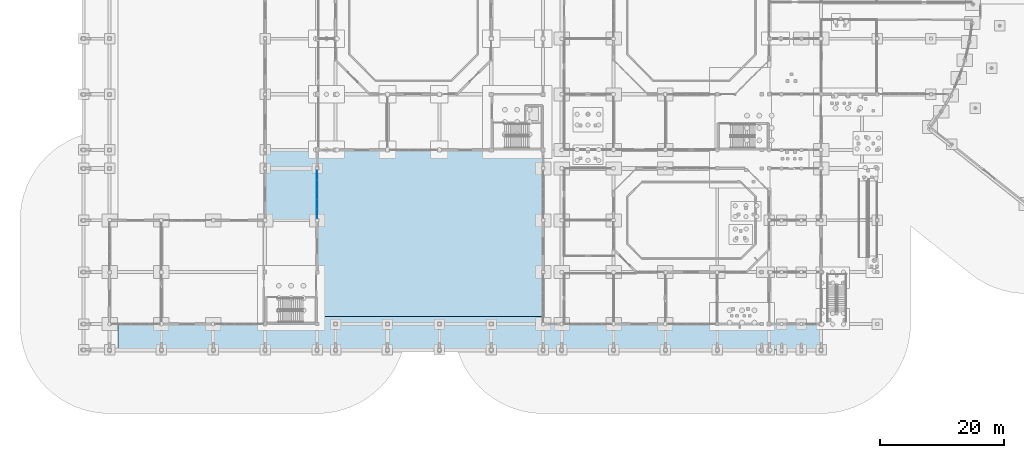
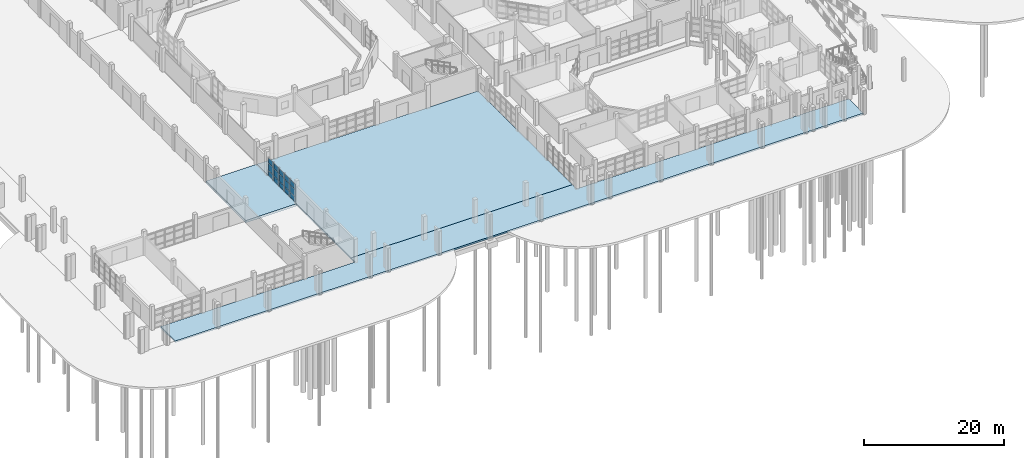
# One storey, part 42 of 88: 15 plates, 3 slabs, 1 element without a shape of its own.
"""IFC4 building model written with IfcOpenShell, lengths in metres."""

from ifc_helpers import new_model, si_unit, direction, frame, origin, origin_2d, place, context, subcontext, project, spatial, polyline, rectangle, outline, extrude, material, layer, layer_set, type_object, element, aggregate, save


model = new_model("IFC4")

# Units and contexts
model_context = context("Model", 3, precision=1e-05, world=origin(), true_north=direction((0.0, 1.0)))
body_context = subcontext(model_context, "Body", "Model", "MODEL_VIEW")
ifc_project = project(units=[si_unit("LENGTHUNIT", "METRE"), si_unit("AREAUNIT", "SQUARE_METRE"), si_unit("VOLUMEUNIT", "CUBIC_METRE"), si_unit("PLANEANGLEUNIT", "RADIAN"), si_unit("MASSUNIT", "GRAM", prefix="KILO")], contexts=[model_context])

# Site, building, storey
site_placement = place(None, origin())
site = spatial("IfcSite", under=ifc_project, at=site_placement, CompositionType="ELEMENT")
building_placement = place(site_placement, origin())
building = spatial("IfcBuilding", under=site, at=building_placement, Name="Vanh Quang Courtyard School", CompositionType="ELEMENT")
storey_placement = place(building_placement, origin())
storey = spatial("IfcBuildingStorey", under=building, at=storey_placement, Name="L00", CompositionType="ELEMENT", Elevation=0.0)

# Curtain wall, plates
ifc_material_1 = material(Name="Thermally broken aluminium unitised curtain wall", Category="aluminium")
curtain_wall_type = type_object("IfcCurtainWallType", Name="CW-SYS-01", PredefinedType="NOTDEFINED", material=ifc_material_1)
curtain_wall_placement = place(storey_placement, origin())
curtain_wall = element("IfcCurtainWall", 1, at=curtain_wall_placement, inside=storey, type_object=curtain_wall_type, Name="Curtain Wall CW-01 (L00)", PredefinedType="NOTDEFINED")
ifc_material_2 = material(Name="Low-E laminated double glazing", Category="glass")
ifc_layer_1 = layer(ifc_material_2, 0.028076171875)
ifc_layer_set_1 = layer_set([ifc_layer_1], Name="Low-E laminated double glazing")
plate_type = type_object("IfcPlateType", Name="CW-PNL-28", PredefinedType="CURTAIN_PANEL", material=ifc_layer_set_1)
plate_1_placement = place(storey_placement, frame((37.800048828125, 28.318603515625, 0.06005859375), z_axis=(0.0, 0.0, 1.0), x_axis=(0.0, -1.0, 0.0)))
plate_1 = element("IfcPlate", 2, at=plate_1_placement, type_object=plate_type, Name="CW-01 panel 1.1", PredefinedType="CURTAIN_PANEL", context=body_context, shape_type="SweptSolid", body=[
    extrude(rectangle(XDim=1.476806640625, YDim=0.028076171875, at=origin_2d()), origin(), (0.0, 0.0, 1.0), 0.860107421875),
])
plate_2_placement = place(storey_placement, frame((37.800048828125, 28.318603515625, 0.97998046875), z_axis=(0.0, 0.0, 1.0), x_axis=(0.0, -1.0, 0.0)))
plate_2 = element("IfcPlate", 3, at=plate_2_placement, type_object=plate_type, Name="CW-01 panel 1.2", PredefinedType="CURTAIN_PANEL", context=body_context, shape_type="SweptSolid", body=[
    extrude(rectangle(XDim=1.476806640625, YDim=0.028076171875, at=origin_2d()), origin(), (0.0, 0.0, 1.0), 1.239990234375),
])
plate_3_placement = place(storey_placement, frame((37.800048828125, 28.318603515625, 2.280029296875), z_axis=(0.0, 0.0, 1.0), x_axis=(0.0, -1.0, 0.0)))
plate_3 = element("IfcPlate", 4, at=plate_3_placement, type_object=plate_type, Name="CW-01 panel 1.3", PredefinedType="CURTAIN_PANEL", context=body_context, shape_type="SweptSolid", body=[
    extrude(rectangle(XDim=1.476806640625, YDim=0.028076171875, at=origin_2d()), origin(), (0.0, 0.0, 1.0), 0.8798828125),
])
plate_4_placement = place(storey_placement, frame((37.800048828125, 26.766845703125, 0.06005859375), z_axis=(0.0, 0.0, 1.0), x_axis=(0.0, -1.0, 0.0)))
plate_4 = element("IfcPlate", 5, at=plate_4_placement, type_object=plate_type, Name="CW-01 panel 2.1", PredefinedType="CURTAIN_PANEL", context=body_context, shape_type="SweptSolid", body=[
    extrude(rectangle(XDim=1.5068359375, YDim=0.028076171875, at=origin_2d()), origin(), (0.0, 0.0, 1.0), 0.860107421875),
])
plate_5_placement = place(storey_placement, frame((37.800048828125, 26.766845703125, 0.97998046875), z_axis=(0.0, 0.0, 1.0), x_axis=(0.0, -1.0, 0.0)))
plate_5 = element("IfcPlate", 6, at=plate_5_placement, type_object=plate_type, Name="CW-01 panel 2.2", PredefinedType="CURTAIN_PANEL", context=body_context, shape_type="SweptSolid", body=[
    extrude(rectangle(XDim=1.5068359375, YDim=0.028076171875, at=origin_2d()), origin(), (0.0, 0.0, 1.0), 1.239990234375),
])
plate_6_placement = place(storey_placement, frame((37.800048828125, 26.766845703125, 2.280029296875), z_axis=(0.0, 0.0, 1.0), x_axis=(0.0, -1.0, 0.0)))
plate_6 = element("IfcPlate", 7, at=plate_6_placement, type_object=plate_type, Name="CW-01 panel 2.3", PredefinedType="CURTAIN_PANEL", context=body_context, shape_type="SweptSolid", body=[
    extrude(rectangle(XDim=1.5068359375, YDim=0.028076171875, at=origin_2d()), origin(), (0.0, 0.0, 1.0), 0.8798828125),
])
plate_7_placement = place(storey_placement, frame((37.800048828125, 25.199951171875, 0.06005859375), z_axis=(0.0, 0.0, 1.0), x_axis=(0.0, -1.0, 0.0)))
plate_7 = element("IfcPlate", 8, at=plate_7_placement, type_object=plate_type, Name="CW-01 panel 3.1", PredefinedType="CURTAIN_PANEL", context=body_context, shape_type="SweptSolid", body=[
    extrude(rectangle(XDim=1.5068359375, YDim=0.028076171875, at=origin_2d()), origin(), (0.0, 0.0, 1.0), 0.860107421875),
])
plate_8_placement = place(storey_placement, frame((37.800048828125, 25.199951171875, 0.97998046875), z_axis=(0.0, 0.0, 1.0), x_axis=(0.0, -1.0, 0.0)))
plate_8 = element("IfcPlate", 9, at=plate_8_placement, type_object=plate_type, Name="CW-01 panel 3.2", PredefinedType="CURTAIN_PANEL", context=body_context, shape_type="SweptSolid", body=[
    extrude(rectangle(XDim=1.5068359375, YDim=0.028076171875, at=origin_2d()), origin(), (0.0, 0.0, 1.0), 1.239990234375),
])
plate_9_placement = place(storey_placement, frame((37.800048828125, 25.199951171875, 2.280029296875), z_axis=(0.0, 0.0, 1.0), x_axis=(0.0, -1.0, 0.0)))
plate_9 = element("IfcPlate", 10, at=plate_9_placement, type_object=plate_type, Name="CW-01 panel 3.3", PredefinedType="CURTAIN_PANEL", context=body_context, shape_type="SweptSolid", body=[
    extrude(rectangle(XDim=1.5068359375, YDim=0.028076171875, at=origin_2d()), origin(), (0.0, 0.0, 1.0), 0.8798828125),
])
plate_10_placement = place(storey_placement, frame((37.800048828125, 23.63330078125, 0.06005859375), z_axis=(0.0, 0.0, 1.0), x_axis=(0.0, -1.0, 0.0)))
plate_10 = element("IfcPlate", 11, at=plate_10_placement, type_object=plate_type, Name="CW-01 panel 4.1", PredefinedType="CURTAIN_PANEL", context=body_context, shape_type="SweptSolid", body=[
    extrude(rectangle(XDim=1.5068359375, YDim=0.028076171875, at=origin_2d()), origin(), (0.0, 0.0, 1.0), 0.860107421875),
])
plate_11_placement = place(storey_placement, frame((37.800048828125, 23.63330078125, 0.97998046875), z_axis=(0.0, 0.0, 1.0), x_axis=(0.0, -1.0, 0.0)))
plate_11 = element("IfcPlate", 12, at=plate_11_placement, type_object=plate_type, Name="CW-01 panel 4.2", PredefinedType="CURTAIN_PANEL", context=body_context, shape_type="SweptSolid", body=[
    extrude(rectangle(XDim=1.5068359375, YDim=0.028076171875, at=origin_2d()), origin(), (0.0, 0.0, 1.0), 1.239990234375),
])
plate_12_placement = place(storey_placement, frame((37.800048828125, 23.63330078125, 2.280029296875), z_axis=(0.0, 0.0, 1.0), x_axis=(0.0, -1.0, 0.0)))
plate_12 = element("IfcPlate", 13, at=plate_12_placement, type_object=plate_type, Name="CW-01 panel 4.3", PredefinedType="CURTAIN_PANEL", context=body_context, shape_type="SweptSolid", body=[
    extrude(rectangle(XDim=1.5068359375, YDim=0.028076171875, at=origin_2d()), origin(), (0.0, 0.0, 1.0), 0.8798828125),
])
plate_13_placement = place(storey_placement, frame((37.800048828125, 22.081298828125, 0.06005859375), z_axis=(0.0, 0.0, 1.0), x_axis=(0.0, -1.0, 0.0)))
plate_13 = element("IfcPlate", 14, at=plate_13_placement, type_object=plate_type, Name="CW-01 panel 5.1", PredefinedType="CURTAIN_PANEL", context=body_context, shape_type="SweptSolid", body=[
    extrude(rectangle(XDim=1.476806640625, YDim=0.028076171875, at=origin_2d()), origin(), (0.0, 0.0, 1.0), 0.860107421875),
])
plate_14_placement = place(storey_placement, frame((37.800048828125, 22.081298828125, 0.97998046875), z_axis=(0.0, 0.0, 1.0), x_axis=(0.0, -1.0, 0.0)))
plate_14 = element("IfcPlate", 15, at=plate_14_placement, type_object=plate_type, Name="CW-01 panel 5.2", PredefinedType="CURTAIN_PANEL", context=body_context, shape_type="SweptSolid", body=[
    extrude(rectangle(XDim=1.476806640625, YDim=0.028076171875, at=origin_2d()), origin(), (0.0, 0.0, 1.0), 1.239990234375),
])
plate_15_placement = place(storey_placement, frame((37.800048828125, 22.081298828125, 2.280029296875), z_axis=(0.0, 0.0, 1.0), x_axis=(0.0, -1.0, 0.0)))
plate_15 = element("IfcPlate", 16, at=plate_15_placement, type_object=plate_type, Name="CW-01 panel 5.3", PredefinedType="CURTAIN_PANEL", context=body_context, shape_type="SweptSolid", body=[
    extrude(rectangle(XDim=1.476806640625, YDim=0.028076171875, at=origin_2d()), origin(), (0.0, 0.0, 1.0), 0.8798828125),
])
aggregate(curtain_wall, [plate_1, plate_2, plate_3, plate_4, plate_5, plate_6, plate_7, plate_8, plate_9, plate_10, plate_11, plate_12, plate_13, plate_14, plate_15])

# Slabs
ifc_material_3 = material(Name="Concrete C30/37", Category="concrete")
ifc_layer_2 = layer(ifc_material_3, 0.39990234375)
ifc_layer_set_2 = layer_set([ifc_layer_2], Name="Concrete C30/37")
slab_type_1 = type_object("IfcSlabType", Name="SLB-BASE-400", PredefinedType="BASESLAB", material=ifc_layer_set_2)
slab_1_placement = place(storey_placement, frame((0.0, 0.0, -0.39990234375)))
element("IfcSlab", 17, at=slab_1_placement, inside=storey, type_object=slab_type_1, Name="Slab BSL-01 (L00)", PredefinedType="BASESLAB", context=body_context, shape_type="SweptSolid", body=[
    extrude(outline(polyline([(37.800048828125, 32.39990234375), (29.39990234375, 32.39990234375), (29.39990234375, 21.0), (37.800048828125, 21.0), (37.800048828125, 32.39990234375)])), origin(), (0.0, 0.0, 1.0), 0.39990234375),
])
ifc_material_4 = material(Name="Concrete C35/45", Category="concrete")
ifc_layer_3 = layer(ifc_material_4, 0.280029296875)
ifc_layer_set_3 = layer_set([ifc_layer_3], Name="Concrete C35/45")
slab_type_2 = type_object("IfcSlabType", Name="SLB-COL-280", PredefinedType="FLOOR", material=ifc_layer_set_3)
slab_2_placement = place(storey_placement, frame((0.0, 0.0, -0.280029296875)))
element("IfcSlab", 18, at=slab_2_placement, inside=storey, type_object=slab_type_2, Name="Slab SC-01 (L00)", PredefinedType="FLOOR", context=body_context, shape_type="SweptSolid", body=[
    extrude(outline(polyline([(119.39990234375, 0.0), (119.39990234375, 4.199951171875), (74.39990234375, 4.199951171875), (74.39990234375, 5.39990234375), (37.800048828125, 5.39990234375), (37.800048828125, 4.199951171875), (5.60009765625, 4.199951171875), (5.60009765625, 0.0), (119.39990234375, 0.0)])), origin(), (0.0, 0.0, 1.0), 0.280029296875),
])
slab_3_placement = place(storey_placement, frame((0.0, 0.0, -0.280029296875)))
element("IfcSlab", 19, at=slab_3_placement, inside=storey, type_object=slab_type_2, Name="Slab SC-01 (L00)", PredefinedType="FLOOR", context=body_context, shape_type="SweptSolid", body=[
    extrude(outline(polyline([(74.39990234375, 5.39990234375), (74.39990234375, 32.39990234375), (37.800048828125, 32.39990234375), (37.800048828125, 5.39990234375), (74.39990234375, 5.39990234375)])), origin(), (0.0, 0.0, 1.0), 0.280029296875),
])

save(model, "model.ifc")
